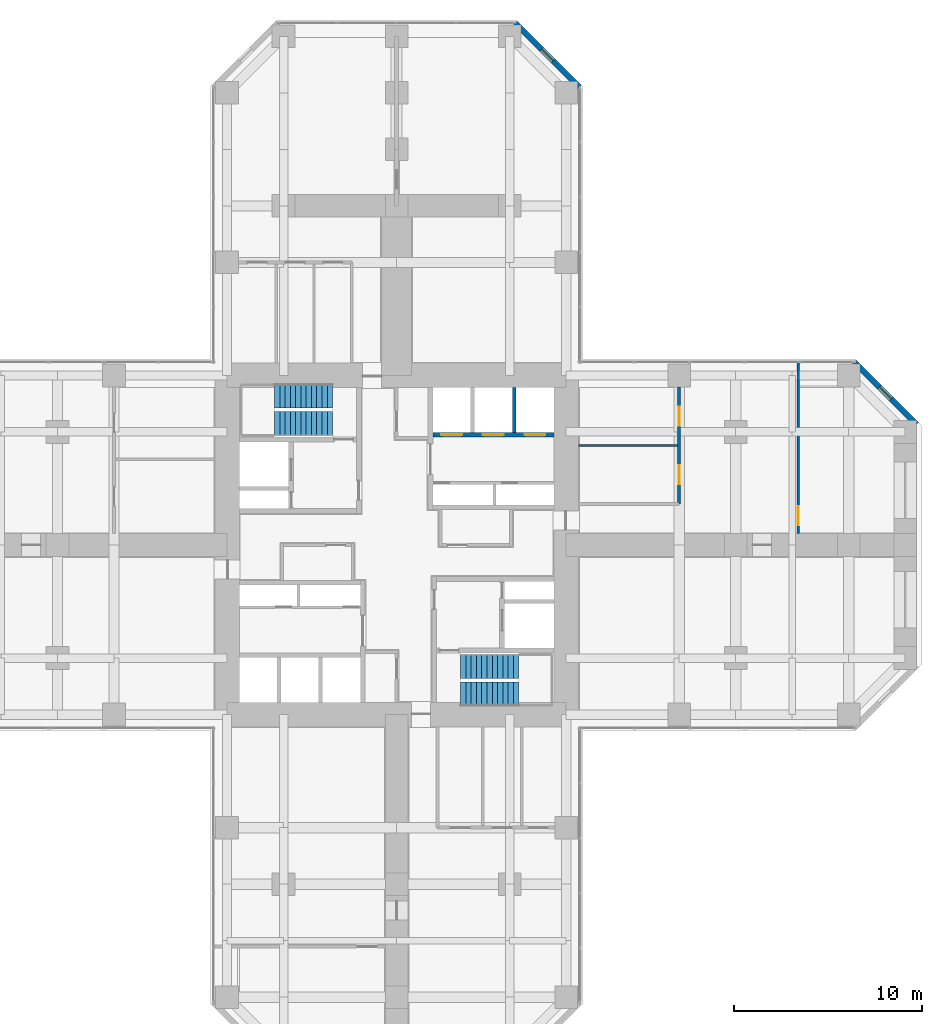
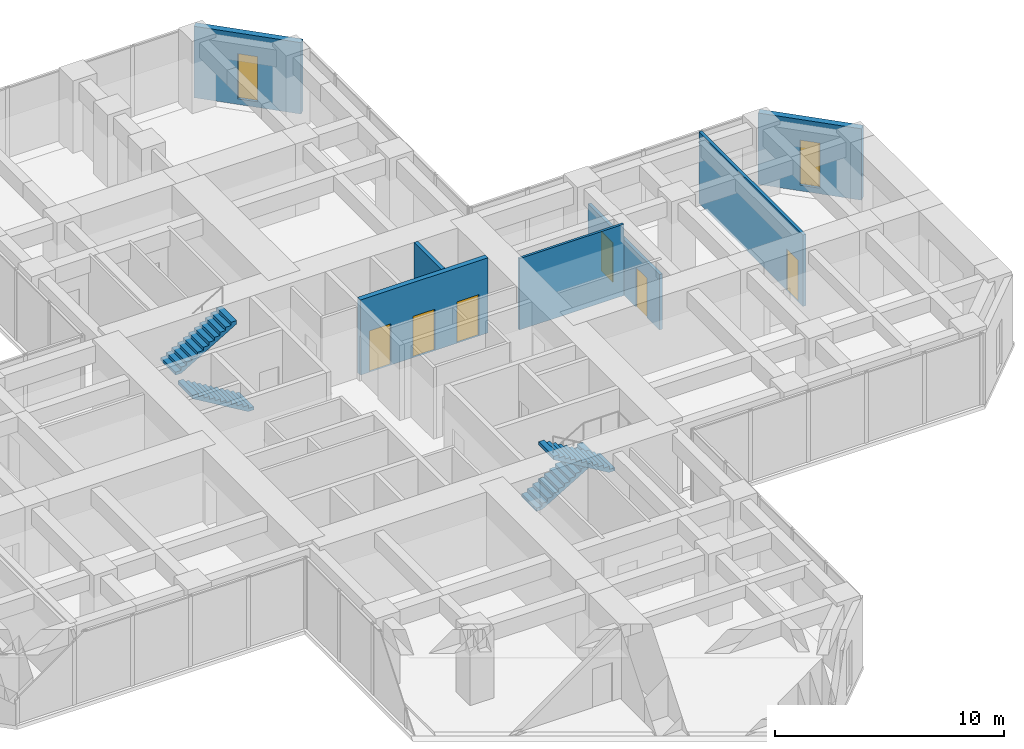
# One storey, part 11 of 12: 7 walls, 6 doors, 4 stair flights, 2 windows, 8 openings, 2 elements without a shape of their own.
"""IFC4 building model written with IfcOpenShell, lengths in metres."""

from ifc_helpers import new_model, si_unit, direction, frame, frame_2d, origin, place, context, subcontext, project, spatial, polyline, rectangle, hollow_rectangle, outline, extrude, material, layer, layer_set, constituent, constituent_set, type_object, element, fill, aggregate, save


model = new_model("IFC4")

# Units and contexts
model_context = context("Model", 3, precision=1e-05, world=origin(), true_north=direction((0.0, 1.0)))
body_context = subcontext(model_context, "Body", "Model", "MODEL_VIEW")
ifc_project = project(units=[si_unit("LENGTHUNIT", "METRE"), si_unit("AREAUNIT", "SQUARE_METRE"), si_unit("VOLUMEUNIT", "CUBIC_METRE"), si_unit("PLANEANGLEUNIT", "RADIAN"), si_unit("MASSUNIT", "GRAM", prefix="KILO")], contexts=[model_context])

# Site, building, storey
site_placement = place(None, origin())
site = spatial("IfcSite", under=ifc_project, at=site_placement, CompositionType="ELEMENT")
building_placement = place(site_placement, origin())
building = spatial("IfcBuilding", under=site, at=building_placement, Name="Torre Cruceta", CompositionType="ELEMENT")
storey_placement = place(building_placement, frame((0.0, 0.0, 63.5)))
storey = spatial("IfcBuildingStorey", under=building, at=storey_placement, Name="L15", CompositionType="ELEMENT", Elevation=63.5)

# Wall, openings, doors
ifc_material_1 = material(Name="Concrete G60 (fck 60 MPa)", Category="concrete")
ifc_layer_1 = layer(ifc_material_1, 0.25)
ifc_layer_set_1 = layer_set([ifc_layer_1], Name="Concrete G60 (fck 60 MPa)")
wall_type_1 = type_object("IfcWallType", Name="CORE INNER WALL 250 G60", PredefinedType="SHEAR", material=ifc_layer_set_1)
wall_1_placement = place(storey_placement, frame((1.925048828125, 5.85009765625, 0.0), z_axis=(0.0, 0.0, 1.0), x_axis=(1.0, 0.0, 0.0)))
wall_1 = element("IfcWall", 1, at=wall_1_placement, inside=storey, type_object=wall_type_1, Name="CW4 L15 NE-LV", PredefinedType="SHEAR", context=body_context, shape_type="SweptSolid", body=[
    extrude(rectangle(XDim=6.425048828125, YDim=0.25, at=frame_2d((3.21240234375, 0.0))), origin(), (0.0, 0.0, 1.0), 4.0),
])
opening_1_placement = place(wall_1_placement, frame((0.4541015625, 0.0, 0.0)))
opening_1 = element("IfcOpeningElement", 2, at=opening_1_placement, cuts=wall_1, Name="Opening LD1", PredefinedType="OPENING", context=body_context, shape_type="SweptSolid", body=[
    extrude(rectangle(XDim=1.10009765625, YDim=2.199951171875, at=frame_2d((0.550048828125, 1.10009765625))), frame((0.0, 0.135009765625, 0.0), z_axis=(0.0, -1.0, 0.0), x_axis=(1.0, 0.0, 0.0)), (0.0, 0.0, 1.0), 0.27001953125),
])
opening_2_placement = place(wall_1_placement, frame((2.66259765625, 0.0, 0.0)))
opening_2 = element("IfcOpeningElement", 3, at=opening_2_placement, cuts=wall_1, Name="Opening LD1", PredefinedType="OPENING", context=body_context, shape_type="SweptSolid", body=[
    extrude(rectangle(XDim=1.10009765625, YDim=2.199951171875, at=frame_2d((0.550048828125, 1.10009765625))), frame((0.0, 0.135009765625, 0.0), z_axis=(0.0, -1.0, 0.0), x_axis=(1.0, 0.0, 0.0)), (0.0, 0.0, 1.0), 0.27001953125),
])
opening_3_placement = place(wall_1_placement, frame((4.870849609375, 0.0, 0.0)))
opening_3 = element("IfcOpeningElement", 4, at=opening_3_placement, cuts=wall_1, Name="Opening LD1", PredefinedType="OPENING", context=body_context, shape_type="SweptSolid", body=[
    extrude(rectangle(XDim=1.10009765625, YDim=2.199951171875, at=frame_2d((0.550048828125, 1.10009765625))), frame((0.0, 0.135009765625, 0.0), z_axis=(0.0, -1.0, 0.0), x_axis=(1.0, 0.0, 0.0)), (0.0, 0.0, 1.0), 0.27001953125),
])
ifc_material_2 = material(Name="Stainless steel 1.4401", Category="steel")
door_type_1 = type_object("IfcDoorType", Name="LIFT LANDING DOOR 1100X2200", OperationType="DOUBLE_DOOR_SLIDING", PredefinedType="DOOR", material=ifc_material_2)
door_1_placement = place(opening_1_placement, origin())
door_1 = element("IfcDoor", 5, at=door_1_placement, inside=storey, type_object=door_type_1, Name="Lift landing door P1", OperationType="DOUBLE_DOOR_SLIDING", OverallHeight=2.199951171875, OverallWidth=1.10009765625, PredefinedType="DOOR", context=body_context, shape_type="SweptSolid", body=[
    extrude(rectangle(XDim=1.10009765625, YDim=2.199951171875, at=frame_2d((0.550048828125, 1.10009765625))), frame((0.0, 0.02490234375, 0.0), z_axis=(0.0, -1.0, 0.0), x_axis=(1.0, 0.0, 0.0)), (0.0, 0.0, 1.0), 0.050048828125),
])
fill(opening_1, door_1)
door_2_placement = place(opening_2_placement, origin())
door_2 = element("IfcDoor", 6, at=door_2_placement, inside=storey, type_object=door_type_1, Name="Lift landing door P2", OperationType="DOUBLE_DOOR_SLIDING", OverallHeight=2.199951171875, OverallWidth=1.10009765625, PredefinedType="DOOR", context=body_context, shape_type="SweptSolid", body=[
    extrude(rectangle(XDim=1.10009765625, YDim=2.199951171875, at=frame_2d((0.550048828125, 1.10009765625))), frame((0.0, 0.02490234375, 0.0), z_axis=(0.0, -1.0, 0.0), x_axis=(1.0, 0.0, 0.0)), (0.0, 0.0, 1.0), 0.050048828125),
])
fill(opening_2, door_2)
door_3_placement = place(opening_3_placement, origin())
door_3 = element("IfcDoor", 7, at=door_3_placement, inside=storey, type_object=door_type_1, Name="Lift landing door P3", OperationType="DOUBLE_DOOR_SLIDING", OverallHeight=2.199951171875, OverallWidth=1.10009765625, PredefinedType="DOOR", context=body_context, shape_type="SweptSolid", body=[
    extrude(rectangle(XDim=1.10009765625, YDim=2.199951171875, at=frame_2d((0.550048828125, 1.10009765625))), frame((0.0, 0.02490234375, 0.0), z_axis=(0.0, -1.0, 0.0), x_axis=(1.0, 0.0, 0.0)), (0.0, 0.0, 1.0), 0.050048828125),
])
fill(opening_3, door_3)

# Wall, opening, window
ifc_material_3 = material(Name="Concrete G30 (fck 30 MPa)", Category="concrete")
ifc_layer_2 = layer(ifc_material_3, 0.300048828125)
ifc_layer_set_2 = layer_set([ifc_layer_2], Name="Concrete G30 (fck 30 MPa)")
wall_type_2 = type_object("IfcWallType", Name="EXPOSED CONCRETE FACADE WALL 300", PredefinedType="SOLIDWALL", material=ifc_layer_set_2)
wall_2_placement = place(storey_placement, frame((27.60009765625, 6.418212890625, 0.0), z_axis=(0.0, 0.0, 1.0), x_axis=(-0.707106781187, 0.707106781187, 0.0)))
wall_2 = element("IfcWall", 8, at=wall_2_placement, inside=storey, type_object=wall_type_2, Name="EW1 facade wall L15 E chamfer 03", PredefinedType="SOLIDWALL", context=body_context, shape_type="SweptSolid", body=[
    extrude(rectangle(XDim=4.66943359375, YDim=0.300048828125, at=frame_2d((2.334716796875, 0.0))), origin(), (0.0, 0.0, 1.0), 3.800048828125),
])
opening_4_placement = place(wall_2_placement, frame((1.884765625, 0.0, 0.300048828125)))
opening_4 = element("IfcOpeningElement", 9, at=opening_4_placement, cuts=wall_2, Name="Opening WN5", PredefinedType="OPENING", context=body_context, shape_type="SweptSolid", body=[
    extrude(rectangle(XDim=0.89990234375, YDim=2.39990234375, at=frame_2d((0.449951171875, 1.199951171875))), frame((0.0, 0.159912109375, 0.0), z_axis=(0.0, -1.0, 0.0), x_axis=(1.0, 0.0, 0.0)), (0.0, 0.0, 1.0), 0.320068359375),
])
ifc_material_4 = material(Name="Aluminium window frame", Category="aluminium")
ifc_constituent_1 = constituent(ifc_material_4, Name="Frame")
ifc_material_5 = material(Name="Laminated insulating glass unit, low-iron clear", Category="glass")
ifc_constituent_2 = constituent(ifc_material_5, Name="Glazing")
ifc_constituent_set_1 = constituent_set(constituents=[ifc_constituent_1, ifc_constituent_2], Name="Aluminium window")
window_type = type_object("IfcWindowType", Name="CHAMFER SLOT WINDOW 900X2400", PartitioningType="SINGLE_PANEL", PredefinedType="WINDOW", material=ifc_constituent_set_1)
window_1_placement = place(opening_4_placement, origin())
window_1 = element("IfcWindow", 10, at=window_1_placement, inside=storey, type_object=window_type, Name="WN5 L15 E 1", OverallHeight=2.39990234375, OverallWidth=0.89990234375, PartitioningType="SINGLE_PANEL", PredefinedType="WINDOW", context=body_context, shape_type="SweptSolid", body=[
    extrude(hollow_rectangle(XDim=0.89990234375, YDim=2.39990234375, WallThickness=0.06005859375, at=frame_2d((0.449951171875, 1.199951171875))), frame((0.0, 0.030029296875, 0.0), z_axis=(0.0, -1.0, 0.0), x_axis=(1.0, 0.0, 0.0)), (0.0, 0.0, 1.0), 0.06005859375),
    extrude(rectangle(XDim=0.77880859375, YDim=2.27880859375, at=frame_2d((0.449951171875, 1.199951171875))), frame((0.0, 0.030029296875, 0.0), z_axis=(0.0, -1.0, 0.0), x_axis=(1.0, 0.0, 0.0)), (0.0, 0.0, 1.0), 0.06005859375),
])
fill(opening_4, window_1)

wall_3_placement = place(storey_placement, frame((9.719970703125, 24.29833984375, 0.0), z_axis=(0.0, 0.0, 1.0), x_axis=(-0.707106781187, 0.707106781187, 0.0)))
wall_3 = element("IfcWall", 11, at=wall_3_placement, inside=storey, type_object=wall_type_2, Name="EW1 facade wall L15 N chamfer 06", PredefinedType="SOLIDWALL", context=body_context, shape_type="SweptSolid", body=[
    extrude(rectangle(XDim=4.8388671875, YDim=0.300048828125, at=frame_2d((2.41943359375, 0.0))), origin(), (0.0, 0.0, 1.0), 3.800048828125),
])
opening_5_placement = place(wall_3_placement, frame((1.969482421875, 0.0, 0.300048828125)))
opening_5 = element("IfcOpeningElement", 12, at=opening_5_placement, cuts=wall_3, Name="Opening WN5", PredefinedType="OPENING", context=body_context, shape_type="SweptSolid", body=[
    extrude(rectangle(XDim=0.89990234375, YDim=2.39990234375, at=frame_2d((0.449951171875, 1.199951171875))), frame((0.0, 0.159912109375, 0.0), z_axis=(0.0, -1.0, 0.0), x_axis=(1.0, 0.0, 0.0)), (0.0, 0.0, 1.0), 0.320068359375),
])
window_2_placement = place(opening_5_placement, origin())
window_2 = element("IfcWindow", 13, at=window_2_placement, inside=storey, type_object=window_type, Name="WN5 L15 N 1", OverallHeight=2.39990234375, OverallWidth=0.89990234375, PartitioningType="SINGLE_PANEL", PredefinedType="WINDOW", context=body_context, shape_type="SweptSolid", body=[
    extrude(hollow_rectangle(XDim=0.89990234375, YDim=2.39990234375, WallThickness=0.06005859375, at=frame_2d((0.449951171875, 1.199951171875))), frame((0.0, 0.030029296875, 0.0), z_axis=(0.0, -1.0, 0.0), x_axis=(1.0, 0.0, 0.0)), (0.0, 0.0, 1.0), 0.06005859375),
    extrude(rectangle(XDim=0.77880859375, YDim=2.27880859375, at=frame_2d((0.449951171875, 1.199951171875))), frame((0.0, 0.030029296875, 0.0), z_axis=(0.0, -1.0, 0.0), x_axis=(1.0, 0.0, 0.0)), (0.0, 0.0, 1.0), 0.06005859375),
])
fill(opening_5, window_2)

# Wall
ifc_material_6 = material(Name="Concrete G35 (fck 35 MPa)", Category="concrete")
ifc_layer_3 = layer(ifc_material_6, 0.199951171875)
ifc_layer_set_3 = layer_set([ifc_layer_3], Name="Concrete G35 (fck 35 MPa)")
wall_type_3 = type_object("IfcWallType", Name="LIFT SHAFT WALL 200", PredefinedType="PARTITIONING", material=ifc_layer_set_3)
wall_4_placement = place(storey_placement, frame((6.24169921875, 5.97509765625, 0.0), z_axis=(0.0, 0.0, 1.0), x_axis=(0.0, 1.0, 0.0)))
element("IfcWall", 14, at=wall_4_placement, inside=storey, type_object=wall_type_3, Name="SW1 L15 NE-LS2", PredefinedType="PARTITIONING", context=body_context, shape_type="SweptSolid", body=[
    extrude(rectangle(XDim=2.375, YDim=0.199951171875, at=frame_2d((1.1875, 0.0))), origin(), (0.0, 0.0, 1.0), 4.0),
])

# Wall, openings, doors
ifc_material_7 = material(Name="Plasterboard on steel studs", Category="steel")
ifc_layer_4 = layer(ifc_material_7, 0.14990234375)
ifc_layer_set_4 = layer_set([ifc_layer_4], Name="Plasterboard on steel studs")
wall_type_4 = type_object("IfcWallType", Name="PARTITION 150", PredefinedType="PARTITIONING", material=ifc_layer_set_4)
wall_5_placement = place(storey_placement, frame((15.0, 2.175048828125, 0.0), z_axis=(0.0, 0.0, 1.0), x_axis=(0.0, 1.0, 0.0)))
wall_5 = element("IfcWall", 15, at=wall_5_placement, inside=storey, type_object=wall_type_4, Name="PT1 L15-E-BFL", PredefinedType="PARTITIONING", context=body_context, shape_type="SweptSolid", body=[
    extrude(rectangle(XDim=6.224853515625, YDim=0.14990234375, at=frame_2d((3.1123046875, 0.0))), origin(), (0.0, 0.0, 1.0), 2.949951171875),
])
opening_6_placement = place(wall_5_placement, frame((1.05615234375, 0.0, 0.0)))
opening_6 = element("IfcOpeningElement", 16, at=opening_6_placement, cuts=wall_5, Name="Opening D3", PredefinedType="OPENING", context=body_context, shape_type="SweptSolid", body=[
    extrude(rectangle(XDim=1.0, YDim=2.10009765625, at=frame_2d((0.5, 1.050048828125))), frame((0.0, 0.0849609375, 0.0), z_axis=(0.0, -1.0, 0.0), x_axis=(1.0, 0.0, 0.0)), (0.0, 0.0, 1.0), 0.169921875),
])
opening_7_placement = place(wall_5_placement, frame((4.168701171875, 0.0, 0.0)))
opening_7 = element("IfcOpeningElement", 17, at=opening_7_placement, cuts=wall_5, Name="Opening D3", PredefinedType="OPENING", context=body_context, shape_type="SweptSolid", body=[
    extrude(rectangle(XDim=1.0, YDim=2.10009765625, at=frame_2d((0.5, 1.050048828125))), frame((0.0, 0.0849609375, 0.0), z_axis=(0.0, -1.0, 0.0), x_axis=(1.0, 0.0, 0.0)), (0.0, 0.0, 1.0), 0.169921875),
])
ifc_material_8 = material(Name="Steel DX51D", Category="steel")
ifc_constituent_3 = constituent(ifc_material_8, Name="Leaf and frame")
ifc_material_9 = material(Name="Polyester powder coating", Category="paint")
ifc_constituent_4 = constituent(ifc_material_9, Name="Finish")
ifc_constituent_set_2 = constituent_set(constituents=[ifc_constituent_3, ifc_constituent_4], Name="Steel fire door")
door_type_2 = type_object("IfcDoorType", Name="FIRE DOOR 1000X2100", OperationType="SINGLE_SWING_LEFT", PredefinedType="DOOR", material=ifc_constituent_set_2)
door_4_placement = place(opening_6_placement, origin())
door_4 = element("IfcDoor", 18, at=door_4_placement, inside=storey, type_object=door_type_2, Name="D3 L15-E-BFL-D1", OperationType="SINGLE_SWING_LEFT", OverallHeight=2.10009765625, OverallWidth=1.0, PredefinedType="DOOR", context=body_context, shape_type="SweptSolid", body=[
    extrude(rectangle(XDim=1.0, YDim=2.10009765625, at=frame_2d((0.5, 1.050048828125))), frame((0.0, 0.02490234375, 0.0), z_axis=(0.0, -1.0, 0.0), x_axis=(1.0, 0.0, 0.0)), (0.0, 0.0, 1.0), 0.050048828125),
])
fill(opening_6, door_4)
door_5_placement = place(opening_7_placement, origin())
door_5 = element("IfcDoor", 19, at=door_5_placement, inside=storey, type_object=door_type_2, Name="D3 L15-E-BFL-D2", OperationType="SINGLE_SWING_LEFT", OverallHeight=2.10009765625, OverallWidth=1.0, PredefinedType="DOOR", context=body_context, shape_type="SweptSolid", body=[
    extrude(rectangle(XDim=1.0, YDim=2.10009765625, at=frame_2d((0.5, 1.050048828125))), frame((0.0, 0.02490234375, 0.0), z_axis=(0.0, -1.0, 0.0), x_axis=(1.0, 0.0, 0.0)), (0.0, 0.0, 1.0), 0.050048828125),
])
fill(opening_7, door_5)

# Wall, opening, door
wall_6_placement = place(storey_placement, frame((21.320068359375, 0.60009765625, 0.0), z_axis=(0.0, 0.0, 1.0), x_axis=(0.0, 1.0, 0.0)))
wall_6 = element("IfcWall", 20, at=wall_6_placement, inside=storey, type_object=wall_type_4, Name="PT1 L15-E-TWL", PredefinedType="PARTITIONING", context=body_context, shape_type="SweptSolid", body=[
    extrude(rectangle(XDim=9.079833984375, YDim=0.14990234375, at=frame_2d((4.5400390625, 0.0))), origin(), (0.0, 0.0, 1.0), 3.800048828125),
])
opening_8_placement = place(wall_6_placement, frame((0.449951171875, 0.0, 0.0)))
opening_8 = element("IfcOpeningElement", 21, at=opening_8_placement, cuts=wall_6, Name="Opening D14", PredefinedType="OPENING", context=body_context, shape_type="SweptSolid", body=[
    extrude(rectangle(XDim=1.0, YDim=2.199951171875, at=frame_2d((0.5, 1.10009765625))), frame((0.0, 0.0849609375, 0.0), z_axis=(0.0, -1.0, 0.0), x_axis=(1.0, 0.0, 0.0)), (0.0, 0.0, 1.0), 0.169921875),
])
ifc_material_10 = material(Name="Steel DX51D", Category="steel")
ifc_constituent_5 = constituent(ifc_material_10, Name="Leaf and frame")
ifc_material_11 = material(Name="Polyester powder coating", Category="paint")
ifc_constituent_6 = constituent(ifc_material_11, Name="Finish")
ifc_material_12 = material(Name="Fire-resisting glass", Category="glass")
ifc_constituent_7 = constituent(ifc_material_12, Name="Vision panel")
ifc_constituent_set_3 = constituent_set(constituents=[ifc_constituent_5, ifc_constituent_6, ifc_constituent_7], Name="Steel fire door with vision panel")
door_type_3 = type_object("IfcDoorType", Name="FIRE DOOR VISION PANEL 1000X2200", OperationType="SINGLE_SWING_RIGHT", PredefinedType="DOOR", material=ifc_constituent_set_3)
door_6_placement = place(opening_8_placement, frame((1.0, 0.0, 0.0), z_axis=(0.0, 0.0, 1.0), x_axis=(-1.0, 0.0, 0.0)))
door_6 = element("IfcDoor", 22, at=door_6_placement, inside=storey, type_object=door_type_3, Name="D14 L15-E-TWL-D1", OperationType="SINGLE_SWING_RIGHT", OverallHeight=2.199951171875, OverallWidth=1.0, PredefinedType="DOOR", context=body_context, shape_type="SweptSolid", body=[
    extrude(rectangle(XDim=1.0, YDim=2.199951171875, at=frame_2d((0.5, 1.10009765625))), frame((0.0, 0.025146484375, 0.0), z_axis=(0.0, -1.0, 0.0), x_axis=(1.0, 0.0, 0.0)), (0.0, 0.0, 1.0), 0.050048828125),
])
fill(opening_8, door_6)

# Wall
ifc_material_13 = material(Name="Plasterboard on steel studs", Category="steel")
ifc_layer_5 = layer(ifc_material_13, 0.1201171875)
ifc_layer_set_5 = layer_set([ifc_layer_5], Name="Plasterboard on steel studs")
wall_type_5 = type_object("IfcWallType", Name="WC PARTITION 120", PredefinedType="PLUMBINGWALL", material=ifc_layer_set_5)
wall_7_placement = place(storey_placement, frame((9.64990234375, 5.28759765625, 0.0), z_axis=(0.0, 0.0, 1.0), x_axis=(1.0, 0.0, 0.0)))
element("IfcWall", 23, at=wall_7_placement, inside=storey, type_object=wall_type_5, Name="PT5 L15-E-BDL1", PredefinedType="PLUMBINGWALL", context=body_context, shape_type="SweptSolid", body=[
    extrude(rectangle(XDim=5.25, YDim=0.1201171875, at=frame_2d((2.625, 0.0))), origin(), (0.0, 0.0, 1.0), 3.800048828125),
])

# Stair, stair flights
ifc_material_14 = material(Name="Concrete G30 (fck 30 MPa)", Category="concrete")
stair_type = type_object("IfcStairType", Name="STAIR HALF-TURN 1300", PredefinedType="HALF_TURN_STAIR", material=ifc_material_14)
stair_1_placement = place(storey_placement, origin())
stair_1 = element("IfcStair", 24, at=stair_1_placement, inside=storey, type_object=stair_type, Name="Stair ST1 L15", PredefinedType="HALF_TURN_STAIR")
ifc_material_15 = material(Name="Concrete G30 (fck 30 MPa)", Category="concrete")
stair_flight_type = type_object("IfcStairFlightType", Name="STAIR FLIGHT 1300", PredefinedType="STRAIGHT", material=ifc_material_15)
stair_flight_1_placement = place(storey_placement, frame((-3.39990234375, 6.425048828125, 0.0), z_axis=(0.0, 0.0, 1.0), x_axis=(-1.0, 0.0, 0.0)))
stair_flight_1 = element("IfcStairFlight", 25, at=stair_flight_1_placement, type_object=stair_flight_type, Name="ST1 flight 1", NumberOfRisers=12, NumberOfTreads=11, PredefinedType="STRAIGHT", RiserHeight=0.166666667, TreadLength=0.28, context=body_context, shape_type="SweptSolid", body=[
    extrude(outline(polyline([(0.0, 0.0), (0.0, 0.166748046875), (0.280029296875, 0.166748046875), (0.280029296875, 0.333251953125), (0.56005859375, 0.333251953125), (0.56005859375, 0.5), (0.840087890625, 0.5), (0.840087890625, 0.666748046875), (1.1201171875, 0.666748046875), (1.1201171875, 0.833251953125), (1.39990234375, 0.833251953125), (1.39990234375, 1.0), (1.679931640625, 1.0), (1.679931640625, 1.166748046875), (1.9599609375, 1.166748046875), (1.9599609375, 1.333251953125), (2.239990234375, 1.333251953125), (2.239990234375, 1.5), (2.52001953125, 1.5), (2.52001953125, 1.666748046875), (2.800048828125, 1.666748046875), (2.800048828125, 1.833251953125), (3.080078125, 1.833251953125), (3.080078125, 2.0), (3.080078125, 1.658935546875), (0.29296875, 0.0), (0.0, 0.0)])), frame((0.0, 0.64990234375, 0.0), z_axis=(0.0, -1.0, 0.0), x_axis=(1.0, 0.0, 0.0)), (0.0, 0.0, 1.0), 1.300048828125),
])
stair_flight_2_placement = place(storey_placement, frame((-6.47998046875, 7.925048828125, 2.0), z_axis=(0.0, 0.0, 1.0), x_axis=(1.0, 0.0, 0.0)))
stair_flight_2 = element("IfcStairFlight", 26, at=stair_flight_2_placement, type_object=stair_flight_type, Name="ST1 flight 2", NumberOfRisers=12, NumberOfTreads=11, PredefinedType="STRAIGHT", RiserHeight=0.166666667, TreadLength=0.28, context=body_context, shape_type="SweptSolid", body=[
    extrude(outline(polyline([(0.0, 0.0), (0.0, 0.166748046875), (0.280029296875, 0.166748046875), (0.280029296875, 0.333251953125), (0.56005859375, 0.333251953125), (0.56005859375, 0.5), (0.840087890625, 0.5), (0.840087890625, 0.666748046875), (1.1201171875, 0.666748046875), (1.1201171875, 0.833251953125), (1.39990234375, 0.833251953125), (1.39990234375, 1.0), (1.679931640625, 1.0), (1.679931640625, 1.166748046875), (1.9599609375, 1.166748046875), (1.9599609375, 1.333251953125), (2.239990234375, 1.333251953125), (2.239990234375, 1.5), (2.52001953125, 1.5), (2.52001953125, 1.666748046875), (2.800048828125, 1.666748046875), (2.800048828125, 1.833251953125), (3.080078125, 1.833251953125), (3.080078125, 2.0), (3.080078125, 1.658935546875), (0.29296875, 0.0), (0.0, 0.0)])), frame((0.0, 0.64990234375, 0.0), z_axis=(0.0, -1.0, 0.0), x_axis=(1.0, 0.0, 0.0)), (0.0, 0.0, 1.0), 1.300048828125),
])
aggregate(stair_1, [stair_flight_1, stair_flight_2])

stair_2_placement = place(storey_placement, origin())
stair_2 = element("IfcStair", 27, at=stair_2_placement, inside=storey, type_object=stair_type, Name="Stair ST2 L15", PredefinedType="HALF_TURN_STAIR")
stair_flight_3_placement = place(storey_placement, frame((3.39990234375, -6.425048828125, 0.0), z_axis=(0.0, 0.0, 1.0), x_axis=(1.0, 0.0, 0.0)))
stair_flight_3 = element("IfcStairFlight", 28, at=stair_flight_3_placement, type_object=stair_flight_type, Name="ST2 flight 1", NumberOfRisers=12, NumberOfTreads=11, PredefinedType="STRAIGHT", RiserHeight=0.166666667, TreadLength=0.28, context=body_context, shape_type="SweptSolid", body=[
    extrude(outline(polyline([(0.0, 0.0), (0.0, 0.166748046875), (0.280029296875, 0.166748046875), (0.280029296875, 0.333251953125), (0.56005859375, 0.333251953125), (0.56005859375, 0.5), (0.840087890625, 0.5), (0.840087890625, 0.666748046875), (1.1201171875, 0.666748046875), (1.1201171875, 0.833251953125), (1.39990234375, 0.833251953125), (1.39990234375, 1.0), (1.679931640625, 1.0), (1.679931640625, 1.166748046875), (1.9599609375, 1.166748046875), (1.9599609375, 1.333251953125), (2.239990234375, 1.333251953125), (2.239990234375, 1.5), (2.52001953125, 1.5), (2.52001953125, 1.666748046875), (2.800048828125, 1.666748046875), (2.800048828125, 1.833251953125), (3.080078125, 1.833251953125), (3.080078125, 2.0), (3.080078125, 1.658935546875), (0.29296875, 0.0), (0.0, 0.0)])), frame((0.0, 0.64990234375, 0.0), z_axis=(0.0, -1.0, 0.0), x_axis=(1.0, 0.0, 0.0)), (0.0, 0.0, 1.0), 1.300048828125),
])
stair_flight_4_placement = place(storey_placement, frame((6.47998046875, -7.925048828125, 2.0), z_axis=(0.0, 0.0, 1.0), x_axis=(-1.0, 0.0, 0.0)))
stair_flight_4 = element("IfcStairFlight", 29, at=stair_flight_4_placement, type_object=stair_flight_type, Name="ST2 flight 2", NumberOfRisers=12, NumberOfTreads=11, PredefinedType="STRAIGHT", RiserHeight=0.166666667, TreadLength=0.28, context=body_context, shape_type="SweptSolid", body=[
    extrude(outline(polyline([(0.0, 0.0), (0.0, 0.166748046875), (0.280029296875, 0.166748046875), (0.280029296875, 0.333251953125), (0.56005859375, 0.333251953125), (0.56005859375, 0.5), (0.840087890625, 0.5), (0.840087890625, 0.666748046875), (1.1201171875, 0.666748046875), (1.1201171875, 0.833251953125), (1.39990234375, 0.833251953125), (1.39990234375, 1.0), (1.679931640625, 1.0), (1.679931640625, 1.166748046875), (1.9599609375, 1.166748046875), (1.9599609375, 1.333251953125), (2.239990234375, 1.333251953125), (2.239990234375, 1.5), (2.52001953125, 1.5), (2.52001953125, 1.666748046875), (2.800048828125, 1.666748046875), (2.800048828125, 1.833251953125), (3.080078125, 1.833251953125), (3.080078125, 2.0), (3.080078125, 1.658935546875), (0.29296875, 0.0), (0.0, 0.0)])), frame((0.0, 0.64990234375, 0.0), z_axis=(0.0, -1.0, 0.0), x_axis=(1.0, 0.0, 0.0)), (0.0, 0.0, 1.0), 1.300048828125),
])
aggregate(stair_2, [stair_flight_3, stair_flight_4])

save(model, "model.ifc")
